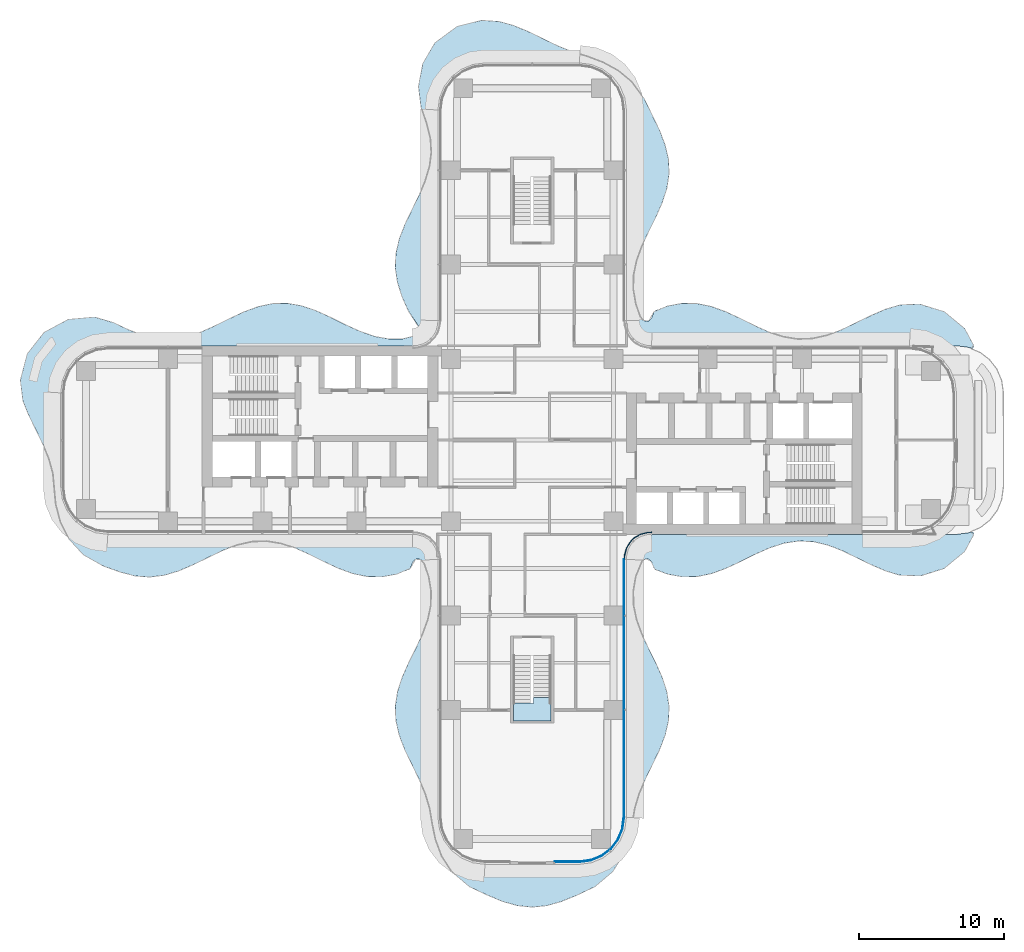
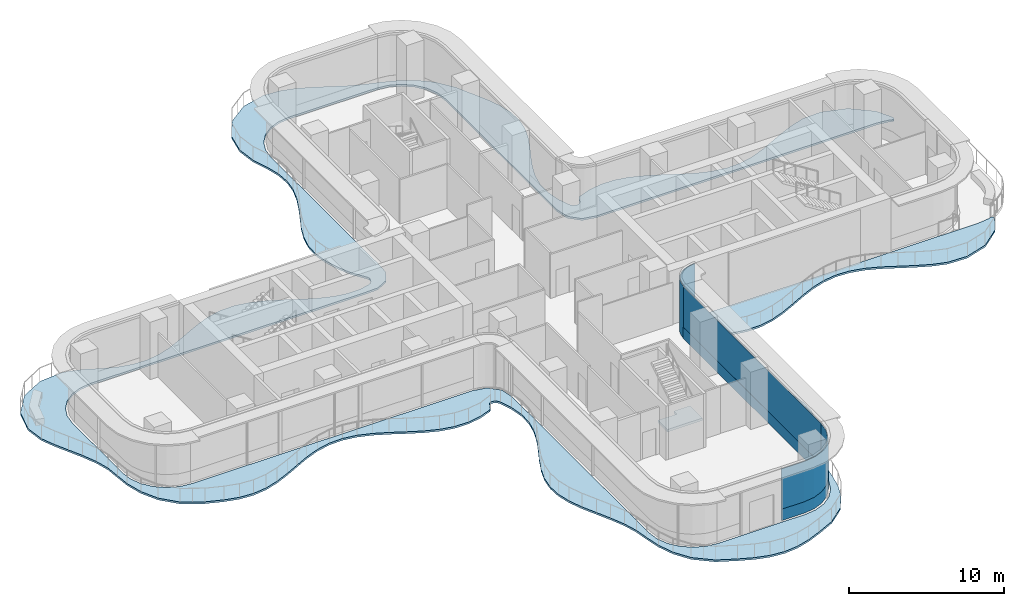
# One storey, part 14 of 21: 5 plates, 2 slabs, 4 elements without a shape of their own.
"""IFC4 building model written with IfcOpenShell, lengths in metres."""

from ifc_helpers import new_model, si_unit, direction, frame, origin, place, context, subcontext, project, spatial, polyline, outline, extrude, source, transform, mapped, material, layer, layer_set, type_object, element, aggregate, save


model = new_model("IFC4")

# Units and contexts
model_context = context("Model", 3, precision=1e-05, world=origin(), true_north=direction((0.0, 1.0)))
body_context = subcontext(model_context, "Body", "Model", "MODEL_VIEW")
ifc_project = project(units=[si_unit("LENGTHUNIT", "METRE"), si_unit("AREAUNIT", "SQUARE_METRE"), si_unit("VOLUMEUNIT", "CUBIC_METRE"), si_unit("PLANEANGLEUNIT", "RADIAN"), si_unit("MASSUNIT", "GRAM", prefix="KILO")], contexts=[model_context])

# Site, building, storey
site_placement = place(None, origin())
site = spatial("IfcSite", under=ifc_project, at=site_placement, CompositionType="ELEMENT")
building_placement = place(site_placement, origin())
building = spatial("IfcBuilding", under=site, at=building_placement, Name="Trellis Farm Tower", CompositionType="ELEMENT")
storey_placement = place(building_placement, frame((0.0, 0.0, 97.5)))
storey = spatial("IfcBuildingStorey", under=building, at=storey_placement, Name="L20", CompositionType="ELEMENT", Elevation=97.5)

# Slab
ifc_material_1 = material(Name="Concrete C40/50", Category="concrete")
ifc_layer_1 = layer(ifc_material_1, 0.14990234375)
ifc_layer_set_1 = layer_set([ifc_layer_1], Name="Balcony slab 150")
slab_type_1 = type_object("IfcSlabType", Name="Balcony slab 150", PredefinedType="FLOOR", material=ifc_layer_set_1)
slab_1_placement = place(storey_placement, frame((0.0, 0.0, -0.14990234375)))
element("IfcSlab", 1, at=slab_1_placement, inside=storey, type_object=slab_type_1, Name="Balcony slab", PredefinedType="FLOOR", context=body_context, shape_type="SweptSolid", body=[
    extrude(outline(polyline([(-32.848388671875, -4.408935546875), (-33.044921875, -2.2880859375), (-33.04736328125, -2.275390625), (-33.32177734375, -1.27685546875), (-33.32470703125, -1.267822265625), (-33.750244140625, -0.2451171875), (-33.751953125, -0.240966796875), (-34.71435546875, 1.736083984375), (-34.718505859375, 1.74560546875), (-35.105224609375, 2.7060546875), (-35.11474609375, 2.743408203125), (-35.2822265625, 4.06884765625), (-35.283203125, 4.097412109375), (-35.28076171875, 4.1337890625), (-35.2763671875, 4.16162109375), (-34.8291015625, 5.879150390625), (-34.818359375, 5.907958984375), (-34.80078125, 5.943359375), (-34.784423828125, 5.969482421875), (-33.653076171875, 7.413818359375), (-33.631103515625, 7.4365234375), (-33.599853515625, 7.462646484375), (-33.573486328125, 7.480224609375), (-31.992431640625, 8.312255859375), (-31.964599609375, 8.323486328125), (-31.92724609375, 8.33447265625), (-31.897705078125, 8.340087890625), (-30.2080078125, 8.47998046875), (-30.18017578125, 8.4794921875), (-30.144287109375, 8.475830078125), (-30.11669921875, 8.470458984375), (-28.873779296875, 8.10009765625), (-28.8525390625, 8.092041015625), (-27.840576171875, 7.613037109375), (-27.835205078125, 7.610595703125), (-26.83251953125, 7.228759765625), (-26.822509765625, 7.2255859375), (-25.826416015625, 7.000732421875), (-25.812744140625, 6.9990234375), (-24.826416015625, 6.963623046875), (-24.81201171875, 6.964599609375), (-23.83251953125, 7.119384765625), (-23.821044921875, 7.122314453125), (-22.875732421875, 7.4296875), (-22.868408203125, 7.4326171875), (-21.86328125, 7.878662109375), (-21.860595703125, 7.8798828125), (-20.859375, 8.376220703125), (-20.8564453125, 8.377685546875), (-19.86962890625, 8.839599609375), (-19.857666015625, 8.844482421875), (-18.880126953125, 9.203125), (-18.85888671875, 9.208984375), (-17.888427734375, 9.411376953125), (-17.860595703125, 9.414306640625), (-16.890625, 9.43115234375), (-16.86181640625, 9.428955078125), (-15.885009765625, 9.256103515625), (-15.8623046875, 9.250244140625), (-14.87548828125, 8.91064453125), (-14.862060546875, 8.9052734375), (-13.8662109375, 8.450439453125), (-13.86181640625, 8.4482421875), (-12.868408203125, 7.954833984375), (-12.8662109375, 7.953857421875), (-11.8818359375, 7.5029296875), (-11.875, 7.500244140625), (-10.842529296875, 7.1455078125), (-10.83154296875, 7.142578125), (-9.90478515625, 6.9755859375), (-9.89111328125, 6.974365234375), (-8.91845703125, 6.981689453125), (-8.900634765625, 6.984130859375), (-8.160888671875, 7.1728515625), (-8.145263671875, 7.1787109375), (-8.035888671875, 7.2353515625), (-8.01171875, 7.255126953125), (-7.934814453125, 7.35205078125), (-7.926513671875, 7.365478515625), (-7.83837890625, 7.544189453125), (-7.83203125, 7.56298828125), (-7.802978515625, 7.71630859375), (-7.80615234375, 7.75537109375), (-7.860107421875, 7.90234375), (-7.86865234375, 7.919189453125), (-8.516357421875, 8.8583984375), (-8.52978515625, 8.882568359375), (-8.956298828125, 9.839111328125), (-8.9619140625, 9.853515625), (-9.2802734375, 10.82861328125), (-9.285888671875, 10.8525390625), (-9.43896484375, 11.85546875), (-9.4404296875, 11.884765625), (-9.396240234375, 12.854248046875), (-9.392578125, 12.881591796875), (-9.165771484375, 13.852783203125), (-9.15966796875, 13.87255859375), (-8.78271484375, 14.850830078125), (-8.777587890625, 14.862548828125), (-7.818359375, 16.83984375), (-7.81689453125, 16.8427734375), (-7.39111328125, 17.825927734375), (-7.38818359375, 17.834228515625), (-7.076416015625, 18.87109375), (-7.07373046875, 18.883056640625), (-6.957275390625, 19.805419921875), (-6.956787109375, 19.819580078125), (-7.02001953125, 20.8076171875), (-7.022216796875, 20.821044921875), (-7.274658203125, 21.827392578125), (-7.2763671875, 21.833740234375), (-7.6611328125, 22.94873046875), (-7.668212890625, 22.979248046875), (-7.84130859375, 24.366455078125), (-7.839599609375, 24.41357421875), (-7.542724609375, 25.945068359375), (-7.524658203125, 25.992919921875), (-6.705810546875, 27.377197265625), (-6.68701171875, 27.402099609375), (-6.6611328125, 27.430419921875), (-6.638671875, 27.450439453125), (-5.188232421875, 28.502197265625), (-5.1630859375, 28.51708984375), (-5.12890625, 28.532958984375), (-5.101318359375, 28.54248046875), (-3.4921875, 28.931640625), (-3.446533203125, 28.935546875), (-2.282958984375, 28.853759765625), (-2.25341796875, 28.8486328125), (-1.27099609375, 28.57666015625), (-1.253173828125, 28.570556640625), (-0.251708984375, 28.15283203125), (-0.243896484375, 28.1494140625), (1.7548828125, 27.177490234375), (1.759765625, 27.17529296875), (2.728515625, 26.785888671875), (2.734619140625, 26.78369140625), (3.80908203125, 26.453125), (3.818115234375, 26.4501953125), (4.878662109375, 26.05029296875), (4.897216796875, 26.041748046875), (5.906494140625, 25.494140625), (5.930419921875, 25.47802734375), (6.8525390625, 24.71728515625), (6.878173828125, 24.690185546875), (7.718994140625, 23.541259765625), (7.73291015625, 23.51806640625), (8.777587890625, 21.3623046875), (8.78271484375, 21.350830078125), (9.15966796875, 20.37255859375), (9.165771484375, 20.352783203125), (9.392578125, 19.381591796875), (9.396240234375, 19.354248046875), (9.4404296875, 18.384765625), (9.43896484375, 18.355712890625), (9.29248046875, 17.3798828125), (9.286865234375, 17.356201171875), (8.968505859375, 16.370849609375), (8.962890625, 16.35595703125), (8.5205078125, 15.361572265625), (8.517822265625, 15.355712890625), (8.020751953125, 14.353271484375), (8.02001953125, 14.351806640625), (7.550537109375, 13.345458984375), (7.548095703125, 13.339599609375), (7.199462890625, 12.386962890625), (7.196533203125, 12.376708984375), (6.990478515625, 11.39794921875), (6.989013671875, 11.384033203125), (6.968994140625, 10.400390625), (6.969970703125, 10.385986328125), (7.142333984375, 9.393798828125), (7.1455078125, 9.382080078125), (7.451904296875, 8.49951171875), (7.46337890625, 8.478515625), (7.58251953125, 8.32421875), (7.599609375, 8.307861328125), (7.6875, 8.248291015625), (7.705810546875, 8.239501953125), (7.855712890625, 8.189453125), (7.8955078125, 8.1875), (8.039306640625, 8.22021484375), (8.07421875, 8.2392578125), (8.1875, 8.349365234375), (8.199951171875, 8.365478515625), (8.22998046875, 8.4169921875), (8.235595703125, 8.428466796875), (8.387939453125, 8.834716796875), (8.47607421875, 8.9228515625), (9.333740234375, 9.241943359375), (9.35888671875, 9.248779296875), (10.32861328125, 9.426025390625), (10.357177734375, 9.428466796875), (11.32763671875, 9.41796875), (11.35595703125, 9.414794921875), (12.333984375, 9.216064453125), (12.35546875, 9.210205078125), (13.343505859375, 8.850341796875), (13.355712890625, 8.84521484375), (14.352783203125, 8.37939453125), (14.35595703125, 8.3779296875), (15.360595703125, 7.8798828125), (15.36328125, 7.878662109375), (16.334228515625, 7.44580078125), (16.341552734375, 7.443115234375), (17.321044921875, 7.122314453125), (17.33251953125, 7.119384765625), (18.31201171875, 6.964599609375), (18.326416015625, 6.963623046875), (19.312744140625, 6.9990234375), (19.326416015625, 7.000732421875), (20.322509765625, 7.2255859375), (20.33251953125, 7.228759765625), (21.3349609375, 7.610595703125), (21.3408203125, 7.61328125), (23.34228515625, 8.5830078125), (23.34814453125, 8.585693359375), (24.349609375, 9.017822265625), (24.366455078125, 9.02392578125), (25.351806640625, 9.3173828125), (25.388671875, 9.323486328125), (26.673095703125, 9.375244140625), (26.722900390625, 9.368896484375), (28.354736328125, 8.87158203125), (28.382568359375, 8.860107421875), (28.415283203125, 8.84228515625), (28.439697265625, 8.82568359375), (29.785888671875, 7.709228515625), (29.806396484375, 7.688720703125), (29.830322265625, 7.6591796875), (29.846435546875, 7.635009765625), (30.431396484375, 6.535888671875), (30.44091796875, 6.417236328125), (30.36083984375, 6.328857421875), (30.24169921875, 6.326904296875), (30.10009765625, 6.385498046875), (30.081298828125, 6.390380859375), (29.2548828125, 6.49951171875), (29.2451171875, 6.5), (26.004638671875, 6.5), (26.0, 6.50048828125), (8.38818359375, 6.50048828125), (8.364013671875, 6.503173828125), (7.466552734375, 6.687255859375), (7.42529296875, 6.702392578125), (7.3779296875, 6.727783203125), (7.34326171875, 6.75390625), (6.75390625, 7.34326171875), (6.727783203125, 7.3779296875), (6.702392578125, 7.42529296875), (6.687255859375, 7.466552734375), (6.503173828125, 8.364013671875), (6.50048828125, 8.38818359375), (6.50048828125, 22.75), (6.389892578125, 23.59130859375), (6.065185546875, 24.375244140625), (5.548583984375, 25.048583984375), (4.875244140625, 25.565185546875), (4.09130859375, 25.889892578125), (3.25, 26.00048828125), (-3.25, 26.00048828125), (-4.09130859375, 25.889892578125), (-4.875244140625, 25.565185546875), (-5.548583984375, 25.048583984375), (-6.065185546875, 24.375244140625), (-6.389892578125, 23.59130859375), (-6.50048828125, 22.75), (-6.50048828125, 8.844970703125), (-6.540283203125, 7.914794921875), (-6.54541015625, 7.882080078125), (-6.556396484375, 7.84130859375), (-6.568359375, 7.810302734375), (-6.963623046875, 7.059814453125), (-6.990478515625, 7.023193359375), (-7.030517578125, 6.9833984375), (-7.067138671875, 6.956787109375), (-7.8203125, 6.5654296875), (-7.85107421875, 6.553466796875), (-7.891845703125, 6.542724609375), (-7.92431640625, 6.537841796875), (-8.85400390625, 6.50048828125), (-29.25, 6.50048828125), (-30.09130859375, 6.389892578125), (-30.875244140625, 6.065185546875), (-31.548583984375, 5.548583984375), (-32.065185546875, 4.875244140625), (-32.389892578125, 4.09130859375), (-32.50048828125, 3.25), (-32.50048828125, -3.25), (-32.389892578125, -4.09130859375), (-32.065185546875, -4.875244140625), (-31.548583984375, -5.548583984375), (-30.875244140625, -6.065185546875), (-30.09130859375, -6.389892578125), (-29.25, -6.50048828125), (-8.38818359375, -6.50048828125), (-8.364013671875, -6.503173828125), (-7.466552734375, -6.687255859375), (-7.42529296875, -6.702392578125), (-7.3779296875, -6.727783203125), (-7.34326171875, -6.75390625), (-6.75390625, -7.34326171875), (-6.727783203125, -7.3779296875), (-6.702392578125, -7.42529296875), (-6.687255859375, -7.466552734375), (-6.503173828125, -8.364013671875), (-6.50048828125, -8.38818359375), (-6.50048828125, -26.0), (-6.389892578125, -26.84130859375), (-6.065185546875, -27.625244140625), (-5.548583984375, -28.298583984375), (-4.875244140625, -28.815185546875), (-4.09130859375, -29.139892578125), (-3.25, -29.25048828125), (3.25, -29.25048828125), (4.09130859375, -29.139892578125), (4.875244140625, -28.815185546875), (5.548583984375, -28.298583984375), (6.065185546875, -27.625244140625), (6.389892578125, -26.84130859375), (6.50048828125, -26.0), (6.50048828125, -8.38818359375), (6.503173828125, -8.364013671875), (6.687255859375, -7.466552734375), (6.702392578125, -7.42529296875), (6.727783203125, -7.3779296875), (6.75390625, -7.34326171875), (7.34326171875, -6.75390625), (7.3779296875, -6.727783203125), (7.42529296875, -6.702392578125), (7.466552734375, -6.687255859375), (8.364013671875, -6.503173828125), (8.38818359375, -6.50048828125), (26.0, -6.50048828125), (26.004638671875, -6.5), (29.2451171875, -6.5), (29.2548828125, -6.49951171875), (30.081298828125, -6.390380859375), (30.10009765625, -6.385498046875), (30.24169921875, -6.326904296875), (30.36083984375, -6.328857421875), (30.44091796875, -6.417236328125), (30.431396484375, -6.535888671875), (29.846435546875, -7.635009765625), (29.830322265625, -7.6591796875), (29.806396484375, -7.688720703125), (29.785888671875, -7.709228515625), (28.439697265625, -8.82568359375), (28.415283203125, -8.84228515625), (28.382080078125, -8.8603515625), (28.35498046875, -8.87158203125), (26.78173828125, -9.361083984375), (26.731689453125, -9.36767578125), (25.345703125, -9.31591796875), (25.3076171875, -9.3095703125), (24.347412109375, -9.01708984375), (24.331298828125, -9.01123046875), (23.34814453125, -8.585693359375), (23.34228515625, -8.5830078125), (21.36572265625, -7.623779296875), (21.360107421875, -7.621337890625), (20.37890625, -7.242919921875), (20.369140625, -7.239990234375), (19.390625, -7.009521484375), (19.377197265625, -7.007568359375), (18.39453125, -6.9599609375), (18.3798828125, -6.960693359375), (17.387939453125, -7.1064453125), (17.3759765625, -7.109130859375), (16.3759765625, -7.4296875), (16.368408203125, -7.4326171875), (15.36328125, -7.878662109375), (15.360595703125, -7.8798828125), (14.35595703125, -8.3779296875), (14.352783203125, -8.37939453125), (13.355712890625, -8.845458984375), (13.34375, -8.850341796875), (12.380126953125, -9.203125), (12.359130859375, -9.208984375), (11.388916015625, -9.4111328125), (11.3603515625, -9.414306640625), (10.357421875, -9.428466796875), (10.328125, -9.426025390625), (9.35888671875, -9.248779296875), (9.333740234375, -9.241943359375), (8.47607421875, -8.9228515625), (8.387939453125, -8.834716796875), (8.235595703125, -8.428466796875), (8.22998046875, -8.4169921875), (8.199951171875, -8.365478515625), (8.1875, -8.349365234375), (8.07421875, -8.2392578125), (8.039306640625, -8.22021484375), (7.8955078125, -8.1875), (7.855712890625, -8.189453125), (7.705810546875, -8.239501953125), (7.6875, -8.248291015625), (7.599609375, -8.307861328125), (7.58251953125, -8.32421875), (7.46337890625, -8.478515625), (7.451904296875, -8.49951171875), (7.1455078125, -9.382080078125), (7.142333984375, -9.393798828125), (6.969970703125, -10.385986328125), (6.968994140625, -10.400390625), (6.989013671875, -11.384033203125), (6.990478515625, -11.39794921875), (7.196533203125, -12.376708984375), (7.199462890625, -12.386962890625), (7.548095703125, -13.339599609375), (7.550537109375, -13.345458984375), (8.02001953125, -14.351806640625), (8.020751953125, -14.353271484375), (8.517822265625, -15.35595703125), (8.5205078125, -15.361328125), (8.956298828125, -16.339111328125), (8.9619140625, -16.353515625), (9.2802734375, -17.32861328125), (9.285888671875, -17.3525390625), (9.43896484375, -18.35546875), (9.4404296875, -18.384765625), (9.396240234375, -19.354248046875), (9.392578125, -19.38134765625), (9.1728515625, -20.329345703125), (9.166748046875, -20.349365234375), (8.78271484375, -21.350830078125), (8.777587890625, -21.362548828125), (7.818359375, -23.339599609375), (7.81689453125, -23.3427734375), (7.377197265625, -24.36328125), (7.37451171875, -24.37158203125), (7.075927734375, -25.365478515625), (7.07373046875, -25.374755859375), (6.902587890625, -26.4033203125), (6.90185546875, -26.408203125), (6.6865234375, -27.47705078125), (6.680419921875, -27.49853515625), (6.279052734375, -28.606201171875), (6.2646484375, -28.6357421875), (5.55322265625, -29.752197265625), (5.523193359375, -29.78662109375), (4.34375, -30.77490234375), (4.311279296875, -30.79541015625), (3.027587890625, -31.39990234375), (3.0205078125, -31.40283203125), (2.015625, -31.814208984375), (1.99951171875, -31.819580078125), (1.026611328125, -32.09375), (1.0009765625, -32.0986328125), (0.031982421875, -32.19677734375), (0.002197265625, -32.197021484375), (-1.000732421875, -32.0986328125), (-1.02685546875, -32.09375), (-1.99951171875, -31.819580078125), (-2.015625, -31.814208984375), (-3.0205078125, -31.40283203125), (-3.027587890625, -31.39990234375), (-4.311279296875, -30.79541015625), (-4.34375, -30.77490234375), (-5.523193359375, -29.786376953125), (-5.55322265625, -29.75244140625), (-6.24755859375, -28.670166015625), (-6.261962890625, -28.640869140625), (-6.67333984375, -27.52392578125), (-6.679443359375, -27.501953125), (-6.90185546875, -26.408203125), (-6.90283203125, -26.403076171875), (-7.07373046875, -25.374755859375), (-7.075927734375, -25.365478515625), (-7.37451171875, -24.37158203125), (-7.377197265625, -24.36328125), (-7.81689453125, -23.3427734375), (-7.818359375, -23.339599609375), (-8.782958984375, -21.35009765625), (-8.7880859375, -21.33837890625), (-9.166748046875, -20.349365234375), (-9.1728515625, -20.329345703125), (-9.39697265625, -19.349609375), (-9.400634765625, -19.322021484375), (-9.438720703125, -18.3505859375), (-9.43701171875, -18.32177734375), (-9.285888671875, -17.352294921875), (-9.2802734375, -17.328857421875), (-8.9619140625, -16.353515625), (-8.956298828125, -16.339111328125), (-8.5205078125, -15.361328125), (-8.517822265625, -15.35595703125), (-8.020751953125, -14.353271484375), (-8.02001953125, -14.351806640625), (-7.550537109375, -13.345458984375), (-7.548095703125, -13.339599609375), (-7.199462890625, -12.386962890625), (-7.196533203125, -12.376708984375), (-6.990478515625, -11.39794921875), (-6.989013671875, -11.384033203125), (-6.968994140625, -10.400390625), (-6.969970703125, -10.385986328125), (-7.142333984375, -9.393798828125), (-7.1455078125, -9.382080078125), (-7.451904296875, -8.49951171875), (-7.46337890625, -8.478515625), (-7.58251953125, -8.32421875), (-7.599609375, -8.307861328125), (-7.6875, -8.248291015625), (-7.705810546875, -8.239501953125), (-7.855712890625, -8.189453125), (-7.8955078125, -8.1875), (-8.039306640625, -8.22021484375), (-8.07421875, -8.2392578125), (-8.1875, -8.349365234375), (-8.199951171875, -8.365478515625), (-8.22998046875, -8.4169921875), (-8.235595703125, -8.428466796875), (-8.387939453125, -8.834716796875), (-8.47607421875, -8.9228515625), (-9.333740234375, -9.241943359375), (-9.35888671875, -9.248779296875), (-10.328125, -9.426025390625), (-10.357421875, -9.428466796875), (-11.3603515625, -9.414306640625), (-11.388916015625, -9.4111328125), (-12.359130859375, -9.208984375), (-12.380126953125, -9.203125), (-13.34375, -8.850341796875), (-13.355712890625, -8.845458984375), (-14.352783203125, -8.37939453125), (-14.35595703125, -8.3779296875), (-15.360595703125, -7.8798828125), (-15.36328125, -7.878662109375), (-16.334228515625, -7.44580078125), (-16.341552734375, -7.443115234375), (-17.321044921875, -7.122314453125), (-17.33251953125, -7.119384765625), (-18.31201171875, -6.964599609375), (-18.326416015625, -6.963623046875), (-19.312744140625, -6.9990234375), (-19.326416015625, -7.000732421875), (-20.322509765625, -7.2255859375), (-20.33251953125, -7.228759765625), (-21.3349609375, -7.610595703125), (-21.3408203125, -7.61328125), (-23.34228515625, -8.5830078125), (-23.34814453125, -8.585693359375), (-24.349853515625, -9.01806640625), (-24.3662109375, -9.02392578125), (-25.35009765625, -9.31982421875), (-25.375, -9.3251953125), (-26.349365234375, -9.445068359375), (-26.378662109375, -9.44580078125), (-27.347900390625, -9.37451171875), (-27.374267578125, -9.3701171875), (-28.345947265625, -9.1201171875), (-28.359130859375, -9.115966796875), (-29.535400390625, -8.69580078125), (-29.55810546875, -8.685546875), (-30.89794921875, -7.939697265625), (-30.935302734375, -7.910400390625), (-31.9169921875, -6.84619140625), (-31.94091796875, -6.8115234375), (-32.5234375, -5.649169921875), (-32.534423828125, -5.619873046875), (-32.84423828125, -4.43310546875), (-32.848388671875, -4.408935546875)])), origin(), (0.0, 0.0, 1.0), 0.14990234375),
])

# Stair, slab
ifc_material_2 = material(Name="Concrete C50/60", Category="concrete")
stair_type = type_object("IfcStairType", Name="CORE EXIT STAIR 26 RISERS 173 MM", PredefinedType="HALF_TURN_STAIR", material=ifc_material_2)
placement_1 = place(storey_placement, origin())
stair = element("IfcStair", 2, at=placement_1, inside=storey, type_object=stair_type, Name="Exit stair S", PredefinedType="HALF_TURN_STAIR")
ifc_layer_2 = layer(ifc_material_2, 0.18994140625)
ifc_layer_set_2 = layer_set([ifc_layer_2], Name="CORE STAIR LANDING 190 CONCRETE C50/60")
slab_type_2 = type_object("IfcSlabType", Name="CORE STAIR LANDING 190 CONCRETE C50/60", PredefinedType="LANDING", material=ifc_layer_set_2)
shared_shape_1 = source(origin(), body_context, "Body", "SweptSolid", [
    extrude(outline(polyline([(1.300048828125, -19.35009765625), (-1.300048828125, -19.35009765625), (-1.300048828125, -18.14990234375), (-1.300048828125, -18.139892578125), (-0.10009765625, -18.139892578125), (-0.10009765625, -18.14990234375), (0.10009765625, -18.14990234375), (0.10009765625, -17.753173828125), (1.300048828125, -17.753173828125), (1.300048828125, -18.14990234375), (1.300048828125, -19.35009765625)])), origin(), (0.0, 0.0, 1.0), 0.18994140625),
])
slab_2_placement = place(storey_placement, frame((0.0, 0.0, 2.06005859375)))
slab_2 = element("IfcSlab", 3, at=slab_2_placement, type_object=slab_type_2, Name="STS landing 1", PredefinedType="LANDING", context=body_context, shape_type="MappedRepresentation", body=[
    mapped(shared_shape_1, transform((0.0, 0.0, 0.0))),
])
aggregate(stair, [slab_2])

# Curtain wall, plates
ifc_material_3 = material(Name="Aluminium and glass curtain wall", Category="aluminium")
ifc_layer_3 = layer(ifc_material_3, 0.18994140625)
ifc_layer_set_3 = layer_set([ifc_layer_3], Name="RIBBON CURTAIN WALL CW1")
curtain_wall_type_1 = type_object("IfcCurtainWallType", Name="RIBBON CURTAIN WALL CW1", PredefinedType="NOTDEFINED", material=ifc_layer_set_3)
curtain_wall_1 = element("IfcCurtainWall", 4, at=placement_1, inside=storey, type_object=curtain_wall_type_1, Name="CW1 005", PredefinedType="NOTDEFINED")
ifc_material_4 = material(Name="Clear insulated glass", Category="glass")
ifc_layer_4 = layer(ifc_material_4, 0.0400390625)
ifc_layer_set_4 = layer_set([ifc_layer_4], Name="CW1 GLASS PANEL 40")
plate_type_1 = type_object("IfcPlateType", Name="CW1 GLASS PANEL 40", PredefinedType="CURTAIN_PANEL", material=ifc_layer_set_4)
shared_shape_2 = source(origin(), body_context, "Body", "SweptSolid", [
    extrude(outline(polyline([(6.35009765625, -25.990234375), (6.35009765625, -8.2265625), (6.31005859375, -8.22509765625), (6.31005859375, -25.987548828125), (6.35009765625, -25.990234375)])), origin(), (0.0, 0.0, 1.0), 3.170166015625),
])
placement_2 = place(storey_placement, frame((0.0, 0.0, 0.89990234375)))
plate_1 = element("IfcPlate", 5, at=placement_2, type_object=plate_type_1, Name="PL1 005", PredefinedType="CURTAIN_PANEL", context=body_context, shape_type="MappedRepresentation", body=[
    mapped(shared_shape_2, transform((0.0, 0.0, 0.0))),
])
ifc_material_5 = material(Name="Sandstone faced insulated panel", Category="masonry")
ifc_layer_5 = layer(ifc_material_5, 0.050048828125)
ifc_layer_set_5 = layer_set([ifc_layer_5], Name="CW1 STONE SPANDREL PANEL 50")
plate_type_2 = type_object("IfcPlateType", Name="CW1 STONE SPANDREL PANEL 50", PredefinedType="CURTAIN_PANEL", material=ifc_layer_set_5)
shared_shape_3 = source(origin(), body_context, "Body", "SweptSolid", [
    extrude(outline(polyline([(6.35009765625, -25.990234375), (6.35009765625, -8.2265625), (6.300048828125, -8.224853515625), (6.300048828125, -25.98681640625), (6.35009765625, -25.990234375)])), origin(), (0.0, 0.0, 1.0), 0.89990234375),
])
plate_2 = element("IfcPlate", 6, at=placement_1, type_object=plate_type_2, Name="PS1 005", PredefinedType="CURTAIN_PANEL", context=body_context, shape_type="MappedRepresentation", body=[
    mapped(shared_shape_3, transform((0.0, 0.0, 0.0))),
])
aggregate(curtain_wall_1, [plate_1, plate_2])

# Curtain wall, plate
ifc_layer_6 = layer(ifc_material_3, 0.166015625)
ifc_layer_set_6 = layer_set([ifc_layer_6], Name="WINTER GARDEN CURTAIN WALL CW3")
curtain_wall_type_2 = type_object("IfcCurtainWallType", Name="WINTER GARDEN CURTAIN WALL CW3", PredefinedType="NOTDEFINED", material=ifc_layer_set_6)
curtain_wall_2 = element("IfcCurtainWall", 7, at=placement_1, inside=storey, type_object=curtain_wall_type_2, Name="CW3 002", PredefinedType="NOTDEFINED")
ifc_layer_7 = layer(ifc_material_4, 0.0458984375)
ifc_layer_set_7 = layer_set([ifc_layer_7], Name="CW3 GLASS PANEL 46")
plate_type_3 = type_object("IfcPlateType", Name="CW3 GLASS PANEL 46", PredefinedType="CURTAIN_PANEL", material=ifc_layer_set_7)
shared_shape_4 = source(origin(), body_context, "Body", "SweptSolid", [
    extrude(outline(polyline([(6.3798828125, -8.2275390625), (6.394287109375, -8.0078125), (6.40966796875, -7.89208984375), (6.52490234375, -7.462158203125), (6.7509765625, -7.070556640625), (7.070556640625, -6.7509765625), (7.462158203125, -6.52490234375), (7.89208984375, -6.40966796875), (8.0078125, -6.394287109375), (8.2275390625, -6.3798828125), (8.22607421875, -6.333984375), (8.003173828125, -6.3486328125), (7.883056640625, -6.364501953125), (7.4443359375, -6.48193359375), (7.04248046875, -6.714111328125), (6.714111328125, -7.04248046875), (6.48193359375, -7.4443359375), (6.364501953125, -7.883056640625), (6.3486328125, -8.003173828125), (6.333984375, -8.22607421875), (6.3798828125, -8.2275390625)])), origin(), (0.0, 0.0, 1.0), 4.10009765625),
])
plate_3 = element("IfcPlate", 8, at=placement_1, type_object=plate_type_3, Name="PL3 002", PredefinedType="CURTAIN_PANEL", context=body_context, shape_type="MappedRepresentation", body=[
    mapped(shared_shape_4, transform((0.0, 0.0, 0.0))),
])
aggregate(curtain_wall_2, [plate_3])

# Curtain wall, plates
curtain_wall_3 = element("IfcCurtainWall", 9, at=placement_1, inside=storey, type_object=curtain_wall_type_1, Name="CW1 004", PredefinedType="NOTDEFINED")
shared_shape_5 = source(origin(), body_context, "Body", "SweptSolid", [
    extrude(outline(polyline([(1.56005859375, -29.10009765625), (3.240234375, -29.10009765625), (4.052001953125, -28.9931640625), (4.79931640625, -28.68359375), (5.441162109375, -28.191162109375), (5.93359375, -27.54931640625), (6.2431640625, -26.802001953125), (6.35009765625, -25.990234375), (6.31005859375, -25.987548828125), (6.2041015625, -26.79150390625), (5.898681640625, -27.529296875), (5.41259765625, -28.16259765625), (4.779296875, -28.648681640625), (4.04150390625, -28.9541015625), (3.237548828125, -29.06005859375), (1.56005859375, -29.06005859375), (1.56005859375, -29.10009765625)])), origin(), (0.0, 0.0, 1.0), 3.170166015625),
])
plate_4 = element("IfcPlate", 10, at=placement_2, type_object=plate_type_1, Name="PL1 004", PredefinedType="CURTAIN_PANEL", context=body_context, shape_type="MappedRepresentation", body=[
    mapped(shared_shape_5, transform((0.0, 0.0, 0.0))),
])
shared_shape_6 = source(origin(), body_context, "Body", "SweptSolid", [
    extrude(outline(polyline([(1.56005859375, -29.10009765625), (3.240234375, -29.10009765625), (4.052001953125, -28.9931640625), (4.79931640625, -28.68359375), (5.441162109375, -28.191162109375), (5.93359375, -27.54931640625), (6.2431640625, -26.802001953125), (6.35009765625, -25.990234375), (6.300048828125, -25.98681640625), (6.1943359375, -26.7890625), (5.889892578125, -27.524169921875), (5.405517578125, -28.155517578125), (4.774169921875, -28.639892578125), (4.0390625, -28.9443359375), (3.23681640625, -29.050048828125), (1.56005859375, -29.050048828125), (1.56005859375, -29.10009765625)])), origin(), (0.0, 0.0, 1.0), 0.89990234375),
])
plate_5 = element("IfcPlate", 11, at=placement_1, type_object=plate_type_2, Name="PS1 004", PredefinedType="CURTAIN_PANEL", context=body_context, shape_type="MappedRepresentation", body=[
    mapped(shared_shape_6, transform((0.0, 0.0, 0.0))),
])
aggregate(curtain_wall_3, [plate_4, plate_5])

save(model, "model.ifc")
